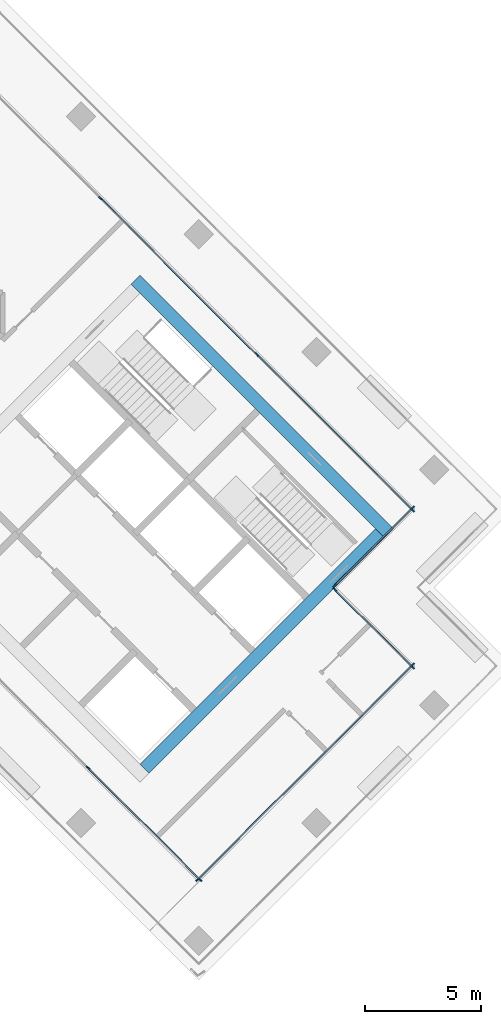
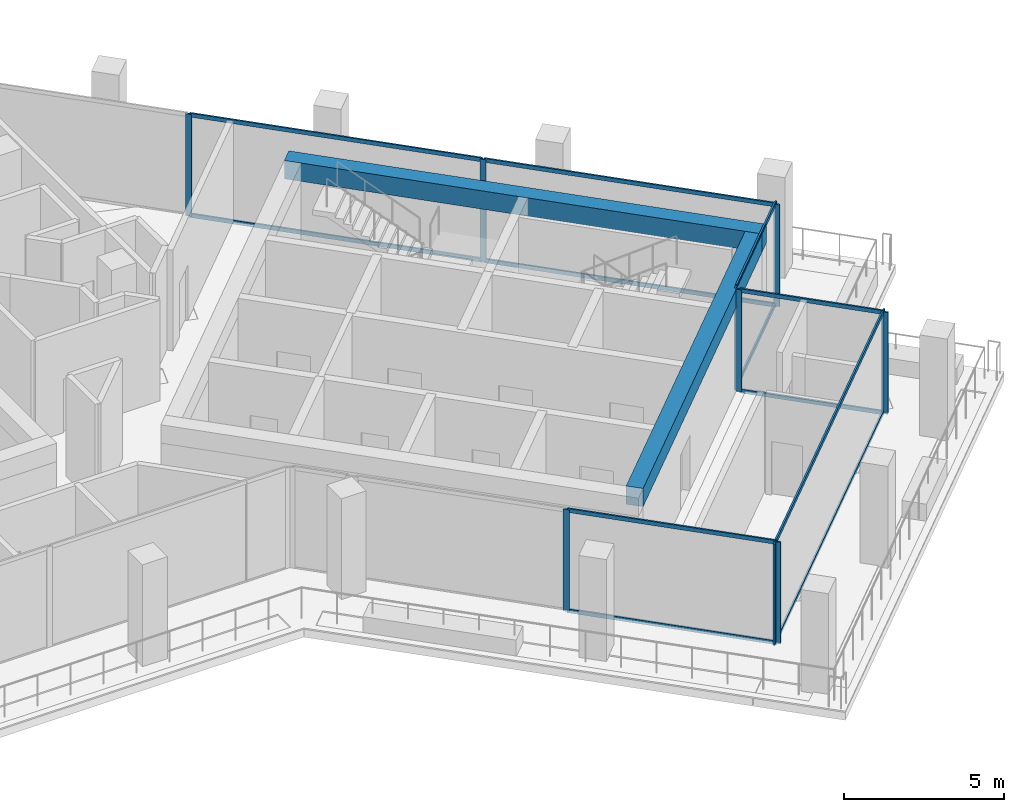
# One storey, part 7 of 19: 23 members, 2 beams, 5 elements without a shape of their own.
"""IFC4 building model written with IfcOpenShell, lengths in metres."""

from ifc_helpers import new_model, si_unit, direction, frame, origin, origin_2d, place, context, subcontext, project, spatial, rectangle, extrude, material, material_profile, profile_set, type_object, element, aggregate, save


model = new_model("IFC4")

# Units and contexts
model_context = context("Model", 3, precision=1e-05, world=origin(), true_north=direction((0.0, 1.0)))
body_context = subcontext(model_context, "Body", "Model", "MODEL_VIEW")
ifc_project = project(units=[si_unit("LENGTHUNIT", "METRE"), si_unit("AREAUNIT", "SQUARE_METRE"), si_unit("VOLUMEUNIT", "CUBIC_METRE"), si_unit("PLANEANGLEUNIT", "RADIAN"), si_unit("MASSUNIT", "GRAM", prefix="KILO")], contexts=[model_context])

# Site, building, storey
site_placement = place(None, origin())
site = spatial("IfcSite", under=ifc_project, at=site_placement, CompositionType="ELEMENT")
building_placement = place(site_placement, origin())
building = spatial("IfcBuilding", under=site, at=building_placement, Name="Windrow Commons", CompositionType="ELEMENT")
storey_placement = place(building_placement, frame((0.0, 0.0, 185.4)))
storey = spatial("IfcBuildingStorey", under=building, at=storey_placement, Name="L50", CompositionType="ELEMENT", Elevation=185.4)

# Curtain wall, members
ifc_material_1 = material(Name="Clear laminated glass in Aluminium 6063-T6 anodised frame", Category="aluminium")
curtain_wall_type = type_object("IfcCurtainWallType", Name="Curtain wall CW2H sky lounge upper", PredefinedType="USERDEFINED", material=ifc_material_1)
placement = place(storey_placement, origin())
curtain_wall_1 = element("IfcCurtainWall", 1, at=placement, inside=storey, type_object=curtain_wall_type, Name="Curtain wall CW2H L50 1", ObjectType="UNITISED", PredefinedType="USERDEFINED")
ifc_material_2 = material(Name="Aluminium 6063-T6", Category="aluminium")
ifc_material_profile_1 = material_profile(ifc_material_2, rectangle(XDim=0.06, YDim=0.2, at=origin_2d()))
ifc_profile_set_1 = profile_set([ifc_material_profile_1], Name="Aluminium 6063-T6")
member_type_1 = type_object("IfcMemberType", Name="CW2H mullion 60x200", PredefinedType="MULLION", material=ifc_profile_set_1)
member_1_placement = place(storey_placement, frame((98.6242, 43.1005, 0.0), z_axis=(0.0, 0.0, 1.0), x_axis=(-0.7071171977, -0.7070963646, 0.0)))
member_1 = element("IfcMember", 2, at=member_1_placement, type_object=member_type_1, Name="CW2H mullion 1", PredefinedType="MULLION", context=body_context, shape_type="SweptSolid", body=[
    extrude(rectangle(XDim=0.06, YDim=0.2, at=origin_2d()), origin(), (0.0, 0.0, 1.0), 3.9),
])
member_2_placement = place(storey_placement, frame((95.2725, 46.4523, 0.0), z_axis=(0.0, 0.0, 1.0), x_axis=(-0.7071171977, -0.7070963646, 0.0)))
member_2 = element("IfcMember", 3, at=member_2_placement, type_object=member_type_1, Name="CW2H mullion 2", PredefinedType="MULLION", context=body_context, shape_type="SweptSolid", body=[
    extrude(rectangle(XDim=0.06, YDim=0.2, at=origin_2d()), origin(), (0.0, 0.0, 1.0), 3.9),
])

curtain_wall_2 = element("IfcCurtainWall", 4, at=placement, inside=storey, type_object=curtain_wall_type, Name="Curtain wall CW2H L50 2", ObjectType="UNITISED", PredefinedType="USERDEFINED")
member_3_placement = place(storey_placement, frame((95.2725, 46.6361, 0.0), z_axis=(0.0, 0.0, 1.0), x_axis=(-0.7071067812, 0.7071067812, 0.0)))
member_3 = element("IfcMember", 5, at=member_3_placement, type_object=member_type_1, Name="CW2H mullion 1", PredefinedType="MULLION", context=body_context, shape_type="SweptSolid", body=[
    extrude(rectangle(XDim=0.06, YDim=0.2, at=origin_2d()), origin(), (0.0, 0.0, 1.0), 3.9),
])
member_4_placement = place(storey_placement, frame((98.6242, 49.9878, 0.0), z_axis=(0.0, 0.0, 1.0), x_axis=(-0.7071067812, 0.7071067812, 0.0)))
member_4 = element("IfcMember", 6, at=member_4_placement, type_object=member_type_1, Name="CW2H mullion 2", PredefinedType="MULLION", context=body_context, shape_type="SweptSolid", body=[
    extrude(rectangle(XDim=0.06, YDim=0.2, at=origin_2d()), origin(), (0.0, 0.0, 1.0), 3.9),
])

curtain_wall_3 = element("IfcCurtainWall", 7, at=placement, inside=storey, type_object=curtain_wall_type, Name="Curtain wall CW2H L50 3", ObjectType="UNITISED", PredefinedType="USERDEFINED")
member_5_placement = place(storey_placement, frame((98.6242, 49.8888, 0.0), z_axis=(0.0, 0.0, 1.0), x_axis=(-0.7071067812, -0.7071067812, 0.0)))
member_5 = element("IfcMember", 8, at=member_5_placement, type_object=member_type_1, Name="CW2H mullion 1", PredefinedType="MULLION", context=body_context, shape_type="SweptSolid", body=[
    extrude(rectangle(XDim=0.06, YDim=0.2, at=origin_2d()), origin(), (0.0, 0.0, 1.0), 3.9),
])
member_6_placement = place(storey_placement, frame((91.8915, 56.6215, 0.0), z_axis=(0.0, 0.0, 1.0), x_axis=(-0.7071067812, -0.7071067812, 0.0)))
member_6 = element("IfcMember", 9, at=member_6_placement, type_object=member_type_1, Name="CW2H mullion 2", PredefinedType="MULLION", context=body_context, shape_type="SweptSolid", body=[
    extrude(rectangle(XDim=0.06, YDim=0.2, at=origin_2d()), origin(), (0.0, 0.0, 1.0), 3.9),
])
member_7_placement = place(storey_placement, frame((85.1376, 63.3754, 0.0), z_axis=(0.0, 0.0, 1.0), x_axis=(-0.7071067812, -0.7071067812, 0.0)))
member_7 = element("IfcMember", 10, at=member_7_placement, type_object=member_type_1, Name="CW2H mullion 3", PredefinedType="MULLION", context=body_context, shape_type="SweptSolid", body=[
    extrude(rectangle(XDim=0.06, YDim=0.2, at=origin_2d()), origin(), (0.0, 0.0, 1.0), 3.9),
])

curtain_wall_4 = element("IfcCurtainWall", 11, at=placement, inside=storey, type_object=curtain_wall_type, Name="Curtain wall CW2H L50 13.2", ObjectType="UNITISED", PredefinedType="USERDEFINED")
member_8_placement = place(storey_placement, frame((84.5876, 38.7524, 0.0), z_axis=(0.0, 0.0, 1.0), x_axis=(0.7071099425, 0.7071036198, 0.0)))
member_8 = element("IfcMember", 12, at=member_8_placement, type_object=member_type_1, Name="CW2H mullion 2", PredefinedType="MULLION", context=body_context, shape_type="SweptSolid", body=[
    extrude(rectangle(XDim=0.06, YDim=0.2, at=origin_2d()), origin(), (0.0, 0.0, 1.0), 3.9),
])
member_9_placement = place(storey_placement, frame((89.4318, 33.9081, 0.0), z_axis=(0.0, 0.0, 1.0), x_axis=(0.7071099425, 0.7071036198, 0.0)))
member_9 = element("IfcMember", 13, at=member_9_placement, type_object=member_type_1, Name="CW2H mullion 3", PredefinedType="MULLION", context=body_context, shape_type="SweptSolid", body=[
    extrude(rectangle(XDim=0.06, YDim=0.2, at=origin_2d()), origin(), (0.0, 0.0, 1.0), 3.9),
])

curtain_wall_5 = element("IfcCurtainWall", 14, at=placement, inside=storey, type_object=curtain_wall_type, Name="Curtain wall CW2H L50 14", ObjectType="UNITISED", PredefinedType="USERDEFINED")
member_10_placement = place(storey_placement, frame((89.3328, 33.9081, 0.0), z_axis=(0.0, 0.0, 1.0), x_axis=(-0.7071067812, 0.7071067812, 0.0)))
member_10 = element("IfcMember", 15, at=member_10_placement, type_object=member_type_1, Name="CW2H mullion 1", PredefinedType="MULLION", context=body_context, shape_type="SweptSolid", body=[
    extrude(rectangle(XDim=0.06, YDim=0.2, at=origin_2d()), origin(), (0.0, 0.0, 1.0), 3.9),
])
member_11_placement = place(storey_placement, frame((98.6242, 43.1995, 0.0), z_axis=(0.0, 0.0, 1.0), x_axis=(-0.7071067812, 0.7071067812, 0.0)))
member_11 = element("IfcMember", 16, at=member_11_placement, type_object=member_type_1, Name="CW2H mullion 2", PredefinedType="MULLION", context=body_context, shape_type="SweptSolid", body=[
    extrude(rectangle(XDim=0.06, YDim=0.2, at=origin_2d()), origin(), (0.0, 0.0, 1.0), 3.9),
])

# Member
ifc_material_3 = material(Name="Aluminium 6063-T6", Category="aluminium")
ifc_material_profile_2 = material_profile(ifc_material_3, rectangle(XDim=0.06, YDim=0.15, at=origin_2d()))
ifc_profile_set_2 = profile_set([ifc_material_profile_2], Name="Aluminium 6063-T6")
member_type_2 = type_object("IfcMemberType", Name="CW2H transom 60x150", PredefinedType="USERDEFINED", material=ifc_profile_set_2)
member_12_placement = place(storey_placement, frame((98.603, 43.1217, 0.03), z_axis=(-0.7070960976, 0.7071174646, 0.0), x_axis=(-0.7071174646, -0.7070960976, 0.0)))
member_12 = element("IfcMember", 17, at=member_12_placement, type_object=member_type_2, Name="CW2H transom 1.1", ObjectType="TRANSOM", PredefinedType="USERDEFINED", context=body_context, shape_type="SweptSolid", body=[
    extrude(rectangle(XDim=0.06, YDim=0.15, at=origin_2d()), origin(), (0.0, 0.0, 1.0), 4.6801),
])

member_13_placement = place(storey_placement, frame((98.603, 43.1217, 3.87), z_axis=(-0.7070960976, 0.7071174646, 0.0), x_axis=(-0.7071174646, -0.7070960976, 0.0)))
member_13 = element("IfcMember", 18, at=member_13_placement, type_object=member_type_2, Name="CW2H transom 1.2", ObjectType="TRANSOM", PredefinedType="USERDEFINED", context=body_context, shape_type="SweptSolid", body=[
    extrude(rectangle(XDim=0.06, YDim=0.15, at=origin_2d()), origin(), (0.0, 0.0, 1.0), 4.6801),
])

aggregate(curtain_wall_1, [member_1, member_2, member_12, member_13])

member_14_placement = place(storey_placement, frame((95.2937, 46.6573, 0.03), z_axis=(0.7071067812, 0.7071067812, 0.0), x_axis=(-0.7071067812, 0.7071067812, 0.0)))
member_14 = element("IfcMember", 19, at=member_14_placement, type_object=member_type_2, Name="CW2H transom 1.1", ObjectType="TRANSOM", PredefinedType="USERDEFINED", context=body_context, shape_type="SweptSolid", body=[
    extrude(rectangle(XDim=0.06, YDim=0.15, at=origin_2d()), origin(), (0.0, 0.0, 1.0), 4.6801),
])

member_15_placement = place(storey_placement, frame((95.2937, 46.6573, 3.87), z_axis=(0.7071067812, 0.7071067812, 0.0), x_axis=(-0.7071067812, 0.7071067812, 0.0)))
member_15 = element("IfcMember", 20, at=member_15_placement, type_object=member_type_2, Name="CW2H transom 1.2", ObjectType="TRANSOM", PredefinedType="USERDEFINED", context=body_context, shape_type="SweptSolid", body=[
    extrude(rectangle(XDim=0.06, YDim=0.15, at=origin_2d()), origin(), (0.0, 0.0, 1.0), 4.6801),
])

aggregate(curtain_wall_2, [member_3, member_4, member_14, member_15])

member_16_placement = place(storey_placement, frame((98.603, 49.91, 0.03), z_axis=(-0.7071067812, 0.7071067812, 0.0), x_axis=(-0.7071067812, -0.7071067812, 0.0)))
member_16 = element("IfcMember", 21, at=member_16_placement, type_object=member_type_2, Name="CW2H transom 1.1", ObjectType="TRANSOM", PredefinedType="USERDEFINED", context=body_context, shape_type="SweptSolid", body=[
    extrude(rectangle(XDim=0.06, YDim=0.15, at=origin_2d()), origin(), (0.0, 0.0, 1.0), 9.4615),
])

member_17_placement = place(storey_placement, frame((98.603, 49.91, 3.87), z_axis=(-0.7071067812, 0.7071067812, 0.0), x_axis=(-0.7071067812, -0.7071067812, 0.0)))
member_17 = element("IfcMember", 22, at=member_17_placement, type_object=member_type_2, Name="CW2H transom 1.2", ObjectType="TRANSOM", PredefinedType="USERDEFINED", context=body_context, shape_type="SweptSolid", body=[
    extrude(rectangle(XDim=0.06, YDim=0.15, at=origin_2d()), origin(), (0.0, 0.0, 1.0), 9.4615),
])

member_18_placement = place(storey_placement, frame((91.8703, 56.6427, 0.03), z_axis=(-0.7071067812, 0.7071067812, 0.0), x_axis=(-0.7071067812, -0.7071067812, 0.0)))
member_18 = element("IfcMember", 23, at=member_18_placement, type_object=member_type_2, Name="CW2H transom 2.1", ObjectType="TRANSOM", PredefinedType="USERDEFINED", context=body_context, shape_type="SweptSolid", body=[
    extrude(rectangle(XDim=0.06, YDim=0.15, at=origin_2d()), origin(), (0.0, 0.0, 1.0), 9.4915),
])

member_19_placement = place(storey_placement, frame((91.8703, 56.6427, 3.87), z_axis=(-0.7071067812, 0.7071067812, 0.0), x_axis=(-0.7071067812, -0.7071067812, 0.0)))
member_19 = element("IfcMember", 24, at=member_19_placement, type_object=member_type_2, Name="CW2H transom 2.2", ObjectType="TRANSOM", PredefinedType="USERDEFINED", context=body_context, shape_type="SweptSolid", body=[
    extrude(rectangle(XDim=0.06, YDim=0.15, at=origin_2d()), origin(), (0.0, 0.0, 1.0), 9.4915),
])

aggregate(curtain_wall_3, [member_5, member_6, member_7, member_16, member_17, member_18, member_19])

member_20_placement = place(storey_placement, frame((84.6088, 38.7312, 0.03), z_axis=(0.7070994183, -0.707114144, 0.0), x_axis=(0.707114144, 0.7070994183, 0.0)))
member_20 = element("IfcMember", 25, at=member_20_placement, type_object=member_type_2, Name="CW2H transom 2.1", ObjectType="TRANSOM", PredefinedType="USERDEFINED", context=body_context, shape_type="SweptSolid", body=[
    extrude(rectangle(XDim=0.06, YDim=0.15, at=origin_2d()), origin(), (0.0, 0.0, 1.0), 6.7908),
])

member_21_placement = place(storey_placement, frame((84.6088, 38.7312, 3.87), z_axis=(0.7070994183, -0.707114144, 0.0), x_axis=(0.707114144, 0.7070994183, 0.0)))
member_21 = element("IfcMember", 26, at=member_21_placement, type_object=member_type_2, Name="CW2H transom 2.2", ObjectType="TRANSOM", PredefinedType="USERDEFINED", context=body_context, shape_type="SweptSolid", body=[
    extrude(rectangle(XDim=0.06, YDim=0.15, at=origin_2d()), origin(), (0.0, 0.0, 1.0), 6.7908),
])

aggregate(curtain_wall_4, [member_8, member_9, member_20, member_21])

member_22_placement = place(storey_placement, frame((89.354, 33.9293, 0.03), z_axis=(0.7071067812, 0.7071067812, 0.0), x_axis=(-0.7071067812, 0.7071067812, 0.0)))
member_22 = element("IfcMember", 27, at=member_22_placement, type_object=member_type_2, Name="CW2H transom 1.1", ObjectType="TRANSOM", PredefinedType="USERDEFINED", context=body_context, shape_type="SweptSolid", body=[
    extrude(rectangle(XDim=0.06, YDim=0.15, at=origin_2d()), origin(), (0.0, 0.0, 1.0), 13.0801),
])

member_23_placement = place(storey_placement, frame((89.354, 33.9293, 3.87), z_axis=(0.7071067812, 0.7071067812, 0.0), x_axis=(-0.7071067812, 0.7071067812, 0.0)))
member_23 = element("IfcMember", 28, at=member_23_placement, type_object=member_type_2, Name="CW2H transom 1.2", ObjectType="TRANSOM", PredefinedType="USERDEFINED", context=body_context, shape_type="SweptSolid", body=[
    extrude(rectangle(XDim=0.06, YDim=0.15, at=origin_2d()), origin(), (0.0, 0.0, 1.0), 13.0801),
])

aggregate(curtain_wall_5, [member_10, member_11, member_22, member_23])

# Beams
ifc_material_4 = material(Name="Concrete C50/60", Category="concrete")
ifc_material_profile_3 = material_profile(ifc_material_4, rectangle(XDim=0.55, YDim=0.7, at=origin_2d()))
ifc_profile_set_3 = profile_set([ifc_material_profile_3], Name="Concrete C50/60")
beam_type = type_object("IfcBeamType", Name="RC COUPLING BEAM 550x700 C50/60", PredefinedType="LINTEL", material=ifc_profile_set_3)
beam_1_placement = place(storey_placement, frame((86.6423, 59.8554, 3.55), z_axis=(0.707110007, -0.7071035554, 0.0), x_axis=(0.7071035554, 0.707110007, 0.0)))
element("IfcBeam", 29, at=beam_1_placement, inside=storey, type_object=beam_type, Name="Core B coupling beam outer-N", PredefinedType="LINTEL", context=body_context, shape_type="SweptSolid", body=[
    extrude(rectangle(XDim=0.55, YDim=0.7, at=origin_2d()), origin(), (0.0, 0.0, 1.0), 15.5),
])
beam_2_placement = place(storey_placement, frame((87.0312, 38.7129, 3.55), z_axis=(0.707103309, 0.7071102534, 0.0), x_axis=(-0.7071102534, 0.707103309, 0.0)))
element("IfcBeam", 30, at=beam_2_placement, inside=storey, type_object=beam_type, Name="Core B coupling beam outer-E", PredefinedType="LINTEL", context=body_context, shape_type="SweptSolid", body=[
    extrude(rectangle(XDim=0.55, YDim=0.7, at=origin_2d()), origin(), (0.0, 0.0, 1.0), 14.4),
])

save(model, "model.ifc")
